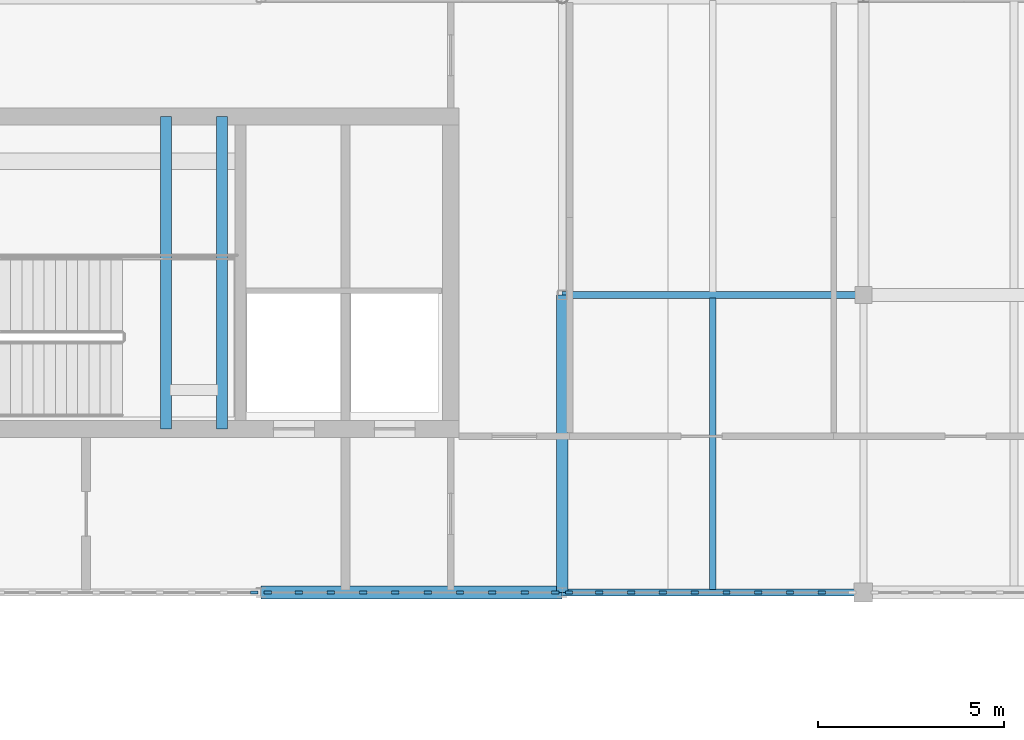
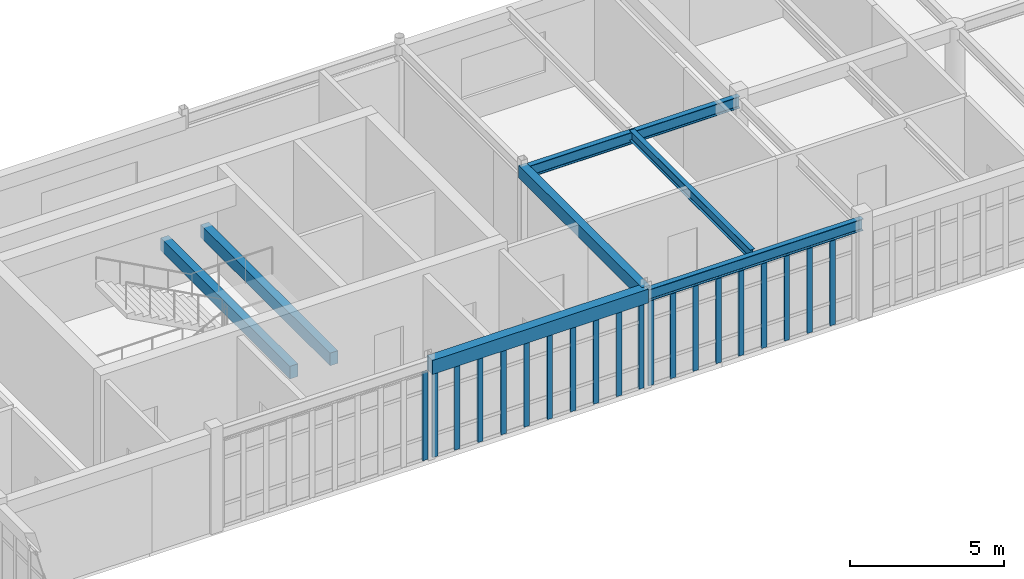
# One storey, part 11 of 36: 20 members, 7 beams, 3 elements without a shape of their own.
"""IFC4 building model written with IfcOpenShell, lengths in metres."""

from ifc_helpers import new_model, si_unit, direction, frame, origin, origin_2d, place, context, subcontext, project, spatial, rectangle, i_section, extrude, material, material_profile, profile_set, type_object, element, aggregate, save


model = new_model("IFC4")

# Units and contexts
model_context = context("Model", 3, precision=1e-05, world=origin(), true_north=direction((0.0, 1.0)))
body_context = subcontext(model_context, "Body", "Model", "MODEL_VIEW")
ifc_project = project(units=[si_unit("LENGTHUNIT", "METRE"), si_unit("AREAUNIT", "SQUARE_METRE"), si_unit("VOLUMEUNIT", "CUBIC_METRE"), si_unit("PLANEANGLEUNIT", "RADIAN"), si_unit("MASSUNIT", "GRAM", prefix="KILO")], contexts=[model_context])

# Site, building, storey
site_placement = place(None, origin())
site = spatial("IfcSite", under=ifc_project, at=site_placement, CompositionType="ELEMENT")
building_placement = place(site_placement, origin())
building = spatial("IfcBuilding", under=site, at=building_placement, Name="Tarnveldt Square Police Headquarters", CompositionType="ELEMENT")
storey_placement = place(building_placement, frame((0.0, 0.0, 24.89990234375)))
storey = spatial("IfcBuildingStorey", under=building, at=storey_placement, Name="L05", CompositionType="ELEMENT", Elevation=24.89990234375)

# Beams
ifc_material_1 = material(Name="Concrete 40 MPa", Category="concrete")
ifc_material_profile_1 = material_profile(ifc_material_1, rectangle(XDim=0.300048828125, YDim=0.5, at=origin_2d()), Name="RC-B300x500")
ifc_profile_set_1 = profile_set([ifc_material_profile_1], Name="Concrete 40 MPa")
beam_type_1 = type_object("IfcBeamType", Name="BM-RC300x500", PredefinedType="BEAM", material=ifc_profile_set_1)
for number, where, z_axis, x_axis, name in (
    (1, (54.14990234375, 100.39990234375, 1.650146484375), (0.0, 1.0, 0.0), (-1.0, 0.0, 0.0), "ST3 L05 Half-Landing Support Beam 1"),
    (2, (55.64990234375, 100.39990234375, 1.650146484375), (0.0, 1.0, 0.0), (-1.0, 0.0, 0.0), "ST3 L05 Half-Landing Transverse Support Beam"),
):
    element("IfcBeam", number, at=place(storey_placement, frame(where, z_axis=z_axis, x_axis=x_axis)), inside=storey, type_object=beam_type_1, Name=name, PredefinedType="BEAM", context=body_context, shape_type="SweptSolid", body=[
        extrude(rectangle(XDim=0.300048828125, YDim=0.5, at=origin_2d()), origin(), (0.0, 0.0, 1.0), 8.400146484375),
    ])
beam_1_placement = place(storey_placement, frame((64.800048828125, 96.0, 3.710205078125), z_axis=(0.0, 1.0, 0.0), x_axis=(-1.0, 0.0, 0.0)))
element("IfcBeam", 3, at=beam_1_placement, inside=storey, type_object=beam_type_1, Name="L06 Grid Girder Y-1072", PredefinedType="BEAM", context=body_context, shape_type="SweptSolid", body=[
    extrude(rectangle(XDim=0.300048828125, YDim=0.5, at=origin_2d()), origin(), (0.0, 0.0, 1.0), 8.0),
])
ifc_material_profile_2 = material_profile(ifc_material_1, rectangle(XDim=0.35009765625, YDim=0.550048828125, at=origin_2d()), Name="RC-B350x550")
ifc_profile_set_2 = profile_set([ifc_material_profile_2], Name="Concrete 40 MPa")
beam_type_2 = type_object("IfcBeamType", Name="BM-RC350x550", PredefinedType="BEAM", material=ifc_profile_set_2)
beam_2_placement = place(storey_placement, frame((56.699951171875, 96.0, 3.68505859375), z_axis=(1.0, 0.0, 0.0), x_axis=(0.0, 1.0, 0.0)))
element("IfcBeam", 4, at=beam_2_placement, inside=storey, type_object=beam_type_2, Name="L06 Grid Girder X-1028", PredefinedType="BEAM", context=body_context, shape_type="SweptSolid", body=[
    extrude(rectangle(XDim=0.35009765625, YDim=0.550048828125, at=origin_2d()), origin(), (0.0, 0.0, 1.0), 8.10009765625),
])
ifc_material_2 = material(Name="Steel 350W", Category="steel")
ifc_material_profile_3 = material_profile(ifc_material_2, i_section(OverallWidth=0.177978515625, OverallDepth=0.406982421875, WebThickness=0.0078125, FlangeThickness=0.0126953125, FilletRadius=0.01611328125, at=origin_2d()), Name="W410x60")
ifc_profile_set_3 = profile_set([ifc_material_profile_3], Name="Steel 350W")
beam_type_3 = type_object("IfcBeamType", Name="BM-W410x60", PredefinedType="JOIST", material=ifc_profile_set_3)
beam_3_placement = place(storey_placement, frame((68.85009765625, 96.080078125, 3.756591796875), z_axis=(0.0, 1.0, 0.0), x_axis=(-1.0, 0.0, 0.0)))
element("IfcBeam", 5, at=beam_3_placement, inside=storey, type_object=beam_type_3, Name="L06 Secondary Floor Joist 0249", PredefinedType="JOIST", context=body_context, shape_type="SweptSolid", body=[
    extrude(i_section(OverallWidth=0.177978515625, OverallDepth=0.406982421875, WebThickness=0.0078125, FlangeThickness=0.0126953125, FilletRadius=0.01611328125, at=origin_2d()), origin(), (0.0, 0.0, 1.0), 7.83984375),
])
ifc_material_profile_4 = material_profile(ifc_material_2, i_section(OverallWidth=0.19189453125, OverallDepth=0.462890625, WebThickness=0.010498046875, FlangeThickness=0.017578125, FilletRadius=0.01806640625, at=origin_2d()), Name="W460x89")
ifc_profile_set_4 = profile_set([ifc_material_profile_4], Name="Steel 350W")
beam_type_4 = type_object("IfcBeamType", Name="BM-W460x89", PredefinedType="BEAM", material=ifc_profile_set_4)
for number, where, z_axis, x_axis, name in (
    (6, (64.800048828125, 96.0, 3.628662109375), (1.0, 0.0, 0.0), (0.0, 1.0, 0.0), "L06 Grid Girder X-1029"),
    (7, (64.800048828125, 104.0, 3.628662109375), (1.0, 0.0, 0.0), (0.0, 1.0, 0.0), "L06 Grid Girder X-1033"),
):
    element("IfcBeam", number, at=place(storey_placement, frame(where, z_axis=z_axis, x_axis=x_axis)), inside=storey, type_object=beam_type_4, Name=name, PredefinedType="BEAM", context=body_context, shape_type="SweptSolid", body=[
        extrude(i_section(OverallWidth=0.19189453125, OverallDepth=0.462890625, WebThickness=0.010498046875, FlangeThickness=0.017578125, FilletRadius=0.01806640625, at=origin_2d()), origin(), (0.0, 0.0, 1.0), 8.099853515625),
    ])

# Curtain wall, member
ifc_material_3 = material(Name="Triple-glazed low-e laminated vision glass", Category="glass")
curtain_wall_type_1 = type_object("IfcCurtainWallType", Name="CW-LB-771x349", PredefinedType="USERDEFINED", material=ifc_material_3)
curtain_wall_1_placement = place(storey_placement, origin())
curtain_wall_1 = element("IfcCurtainWall", 8, at=curtain_wall_1_placement, inside=storey, type_object=curtain_wall_type_1, Name="L05 Curtain Wall CW-L05-133", ObjectType="GLAZED CURTAIN WALL", PredefinedType="USERDEFINED")
ifc_material_4 = material(Name="Thermally broken anodised aluminium 6063-T6", Category="aluminium")
ifc_material_profile_5 = material_profile(ifc_material_4, rectangle(XDim=0.074951171875, YDim=0.199951171875, at=origin_2d()), Name="CW-M75x200")
ifc_profile_set_5 = profile_set([ifc_material_profile_5], Name="Thermally broken anodised aluminium 6063-T6")
member_type = type_object("IfcMemberType", Name="CWM-75x200", PredefinedType="MULLION", material=ifc_profile_set_5)
member_1_placement = place(storey_placement, frame((56.517578125, 96.0, 0.0), z_axis=(0.0, 0.0, 1.0), x_axis=(0.0, 1.0, 0.0)))
member_1 = element("IfcMember", 9, at=member_1_placement, type_object=member_type, Name="CW-LB80 mullion 10", PredefinedType="MULLION", context=body_context, shape_type="SweptSolid", body=[
    extrude(rectangle(XDim=0.074951171875, YDim=0.199951171875, at=origin_2d()), origin(), (0.0, 0.0, 1.0), 3.489013671875),
])
aggregate(curtain_wall_1, [member_1])

# Curtain wall, members
curtain_wall_type_2 = type_object("IfcCurtainWallType", Name="CW-LB-781x340", PredefinedType="USERDEFINED", material=ifc_material_3)
curtain_wall_2_placement = place(storey_placement, origin())
curtain_wall_2 = element("IfcCurtainWall", 10, at=curtain_wall_2_placement, inside=storey, type_object=curtain_wall_type_2, Name="L05 Curtain Wall CW-L05-134", ObjectType="GLAZED CURTAIN WALL", PredefinedType="USERDEFINED")
member_2_placement = place(storey_placement, frame((56.882568359375, 96.0, 0.0), z_axis=(0.0, 0.0, 1.0), x_axis=(0.0, 1.0, 0.0)))
member_2 = element("IfcMember", 11, at=member_2_placement, type_object=member_type, Name="CW-LB81 mullion 1", PredefinedType="MULLION", context=body_context, shape_type="SweptSolid", body=[
    extrude(rectangle(XDim=0.074951171875, YDim=0.199951171875, at=origin_2d()), origin(), (0.0, 0.0, 1.0), 3.402099609375),
])
member_3_placement = place(storey_placement, frame((57.712890625, 96.0, 0.0), z_axis=(0.0, 0.0, 1.0), x_axis=(0.0, 1.0, 0.0)))
member_3 = element("IfcMember", 12, at=member_3_placement, type_object=member_type, Name="CW-LB81 mullion 2", PredefinedType="MULLION", context=body_context, shape_type="SweptSolid", body=[
    extrude(rectangle(XDim=0.074951171875, YDim=0.199951171875, at=origin_2d()), origin(), (0.0, 0.0, 1.0), 3.402099609375),
])
member_4_placement = place(storey_placement, frame((58.58056640625, 96.0, 0.0), z_axis=(0.0, 0.0, 1.0), x_axis=(0.0, 1.0, 0.0)))
member_4 = element("IfcMember", 13, at=member_4_placement, type_object=member_type, Name="CW-LB81 mullion 3", PredefinedType="MULLION", context=body_context, shape_type="SweptSolid", body=[
    extrude(rectangle(XDim=0.074951171875, YDim=0.199951171875, at=origin_2d()), origin(), (0.0, 0.0, 1.0), 3.402099609375),
])
member_5_placement = place(storey_placement, frame((59.4482421875, 96.0, 0.0), z_axis=(0.0, 0.0, 1.0), x_axis=(0.0, 1.0, 0.0)))
member_5 = element("IfcMember", 14, at=member_5_placement, type_object=member_type, Name="CW-LB81 mullion 4", PredefinedType="MULLION", context=body_context, shape_type="SweptSolid", body=[
    extrude(rectangle(XDim=0.074951171875, YDim=0.199951171875, at=origin_2d()), origin(), (0.0, 0.0, 1.0), 3.402099609375),
])
member_6_placement = place(storey_placement, frame((60.316162109375, 96.0, 0.0), z_axis=(0.0, 0.0, 1.0), x_axis=(0.0, 1.0, 0.0)))
member_6 = element("IfcMember", 15, at=member_6_placement, type_object=member_type, Name="CW-LB81 mullion 5", PredefinedType="MULLION", context=body_context, shape_type="SweptSolid", body=[
    extrude(rectangle(XDim=0.074951171875, YDim=0.199951171875, at=origin_2d()), origin(), (0.0, 0.0, 1.0), 3.402099609375),
])
member_7_placement = place(storey_placement, frame((61.183837890625, 96.0, 0.0), z_axis=(0.0, 0.0, 1.0), x_axis=(0.0, 1.0, 0.0)))
member_7 = element("IfcMember", 16, at=member_7_placement, type_object=member_type, Name="CW-LB81 mullion 6", PredefinedType="MULLION", context=body_context, shape_type="SweptSolid", body=[
    extrude(rectangle(XDim=0.074951171875, YDim=0.199951171875, at=origin_2d()), origin(), (0.0, 0.0, 1.0), 3.402099609375),
])
member_8_placement = place(storey_placement, frame((62.0517578125, 96.0, 0.0), z_axis=(0.0, 0.0, 1.0), x_axis=(0.0, 1.0, 0.0)))
member_8 = element("IfcMember", 17, at=member_8_placement, type_object=member_type, Name="CW-LB81 mullion 7", PredefinedType="MULLION", context=body_context, shape_type="SweptSolid", body=[
    extrude(rectangle(XDim=0.074951171875, YDim=0.199951171875, at=origin_2d()), origin(), (0.0, 0.0, 1.0), 3.402099609375),
])
member_9_placement = place(storey_placement, frame((62.91943359375, 96.0, 0.0), z_axis=(0.0, 0.0, 1.0), x_axis=(0.0, 1.0, 0.0)))
member_9 = element("IfcMember", 18, at=member_9_placement, type_object=member_type, Name="CW-LB81 mullion 8", PredefinedType="MULLION", context=body_context, shape_type="SweptSolid", body=[
    extrude(rectangle(XDim=0.074951171875, YDim=0.199951171875, at=origin_2d()), origin(), (0.0, 0.0, 1.0), 3.402099609375),
])
member_10_placement = place(storey_placement, frame((63.787109375, 96.0, 0.0), z_axis=(0.0, 0.0, 1.0), x_axis=(0.0, 1.0, 0.0)))
member_10 = element("IfcMember", 19, at=member_10_placement, type_object=member_type, Name="CW-LB81 mullion 9", PredefinedType="MULLION", context=body_context, shape_type="SweptSolid", body=[
    extrude(rectangle(XDim=0.074951171875, YDim=0.199951171875, at=origin_2d()), origin(), (0.0, 0.0, 1.0), 3.402099609375),
])
member_11_placement = place(storey_placement, frame((64.617431640625, 96.0, 0.0), z_axis=(0.0, 0.0, 1.0), x_axis=(0.0, 1.0, 0.0)))
member_11 = element("IfcMember", 20, at=member_11_placement, type_object=member_type, Name="CW-LB81 mullion 10", PredefinedType="MULLION", context=body_context, shape_type="SweptSolid", body=[
    extrude(rectangle(XDim=0.074951171875, YDim=0.199951171875, at=origin_2d()), origin(), (0.0, 0.0, 1.0), 3.402099609375),
])
aggregate(curtain_wall_2, [member_2, member_3, member_4, member_5, member_6, member_7, member_8, member_9, member_10, member_11])

curtain_wall_type_3 = type_object("IfcCurtainWallType", Name="CW-LB-769x339", PredefinedType="USERDEFINED", material=ifc_material_3)
curtain_wall_3_placement = place(storey_placement, origin())
curtain_wall_3 = element("IfcCurtainWall", 21, at=curtain_wall_3_placement, inside=storey, type_object=curtain_wall_type_3, Name="L05 Curtain Wall CW-L05-135", ObjectType="GLAZED CURTAIN WALL", PredefinedType="USERDEFINED")
member_12_placement = place(storey_placement, frame((64.982421875, 96.0, 0.0), z_axis=(0.0, 0.0, 1.0), x_axis=(0.0, 1.0, 0.0)))
member_12 = element("IfcMember", 22, at=member_12_placement, type_object=member_type, Name="CW-LB82 mullion 1", PredefinedType="MULLION", context=body_context, shape_type="SweptSolid", body=[
    extrude(rectangle(XDim=0.074951171875, YDim=0.199951171875, at=origin_2d()), origin(), (0.0, 0.0, 1.0), 3.38916015625),
])
member_13_placement = place(storey_placement, frame((65.799560546875, 96.0, 0.0), z_axis=(0.0, 0.0, 1.0), x_axis=(0.0, 1.0, 0.0)))
member_13 = element("IfcMember", 23, at=member_13_placement, type_object=member_type, Name="CW-LB82 mullion 2", PredefinedType="MULLION", context=body_context, shape_type="SweptSolid", body=[
    extrude(rectangle(XDim=0.074951171875, YDim=0.199951171875, at=origin_2d()), origin(), (0.0, 0.0, 1.0), 3.38916015625),
])
member_14_placement = place(storey_placement, frame((66.65380859375, 96.0, 0.0), z_axis=(0.0, 0.0, 1.0), x_axis=(0.0, 1.0, 0.0)))
member_14 = element("IfcMember", 24, at=member_14_placement, type_object=member_type, Name="CW-LB82 mullion 3", PredefinedType="MULLION", context=body_context, shape_type="SweptSolid", body=[
    extrude(rectangle(XDim=0.074951171875, YDim=0.199951171875, at=origin_2d()), origin(), (0.0, 0.0, 1.0), 3.38916015625),
])
member_15_placement = place(storey_placement, frame((67.50830078125, 96.0, 0.0), z_axis=(0.0, 0.0, 1.0), x_axis=(0.0, 1.0, 0.0)))
member_15 = element("IfcMember", 25, at=member_15_placement, type_object=member_type, Name="CW-LB82 mullion 4", PredefinedType="MULLION", context=body_context, shape_type="SweptSolid", body=[
    extrude(rectangle(XDim=0.074951171875, YDim=0.199951171875, at=origin_2d()), origin(), (0.0, 0.0, 1.0), 3.38916015625),
])
member_16_placement = place(storey_placement, frame((68.36279296875, 96.0, 0.0), z_axis=(0.0, 0.0, 1.0), x_axis=(0.0, 1.0, 0.0)))
member_16 = element("IfcMember", 26, at=member_16_placement, type_object=member_type, Name="CW-LB82 mullion 5", PredefinedType="MULLION", context=body_context, shape_type="SweptSolid", body=[
    extrude(rectangle(XDim=0.074951171875, YDim=0.199951171875, at=origin_2d()), origin(), (0.0, 0.0, 1.0), 3.38916015625),
])
member_17_placement = place(storey_placement, frame((69.21728515625, 96.0, 0.0), z_axis=(0.0, 0.0, 1.0), x_axis=(0.0, 1.0, 0.0)))
member_17 = element("IfcMember", 27, at=member_17_placement, type_object=member_type, Name="CW-LB82 mullion 6", PredefinedType="MULLION", context=body_context, shape_type="SweptSolid", body=[
    extrude(rectangle(XDim=0.074951171875, YDim=0.199951171875, at=origin_2d()), origin(), (0.0, 0.0, 1.0), 3.38916015625),
])
member_18_placement = place(storey_placement, frame((70.07177734375, 96.0, 0.0), z_axis=(0.0, 0.0, 1.0), x_axis=(0.0, 1.0, 0.0)))
member_18 = element("IfcMember", 28, at=member_18_placement, type_object=member_type, Name="CW-LB82 mullion 7", PredefinedType="MULLION", context=body_context, shape_type="SweptSolid", body=[
    extrude(rectangle(XDim=0.074951171875, YDim=0.199951171875, at=origin_2d()), origin(), (0.0, 0.0, 1.0), 3.38916015625),
])
member_19_placement = place(storey_placement, frame((70.926025390625, 96.0, 0.0), z_axis=(0.0, 0.0, 1.0), x_axis=(0.0, 1.0, 0.0)))
member_19 = element("IfcMember", 29, at=member_19_placement, type_object=member_type, Name="CW-LB82 mullion 8", PredefinedType="MULLION", context=body_context, shape_type="SweptSolid", body=[
    extrude(rectangle(XDim=0.074951171875, YDim=0.199951171875, at=origin_2d()), origin(), (0.0, 0.0, 1.0), 3.38916015625),
])
member_20_placement = place(storey_placement, frame((71.780517578125, 96.0, 0.0), z_axis=(0.0, 0.0, 1.0), x_axis=(0.0, 1.0, 0.0)))
member_20 = element("IfcMember", 30, at=member_20_placement, type_object=member_type, Name="CW-LB82 mullion 9", PredefinedType="MULLION", context=body_context, shape_type="SweptSolid", body=[
    extrude(rectangle(XDim=0.074951171875, YDim=0.199951171875, at=origin_2d()), origin(), (0.0, 0.0, 1.0), 3.38916015625),
])
aggregate(curtain_wall_3, [member_12, member_13, member_14, member_15, member_16, member_17, member_18, member_19, member_20])

save(model, "model.ifc")
